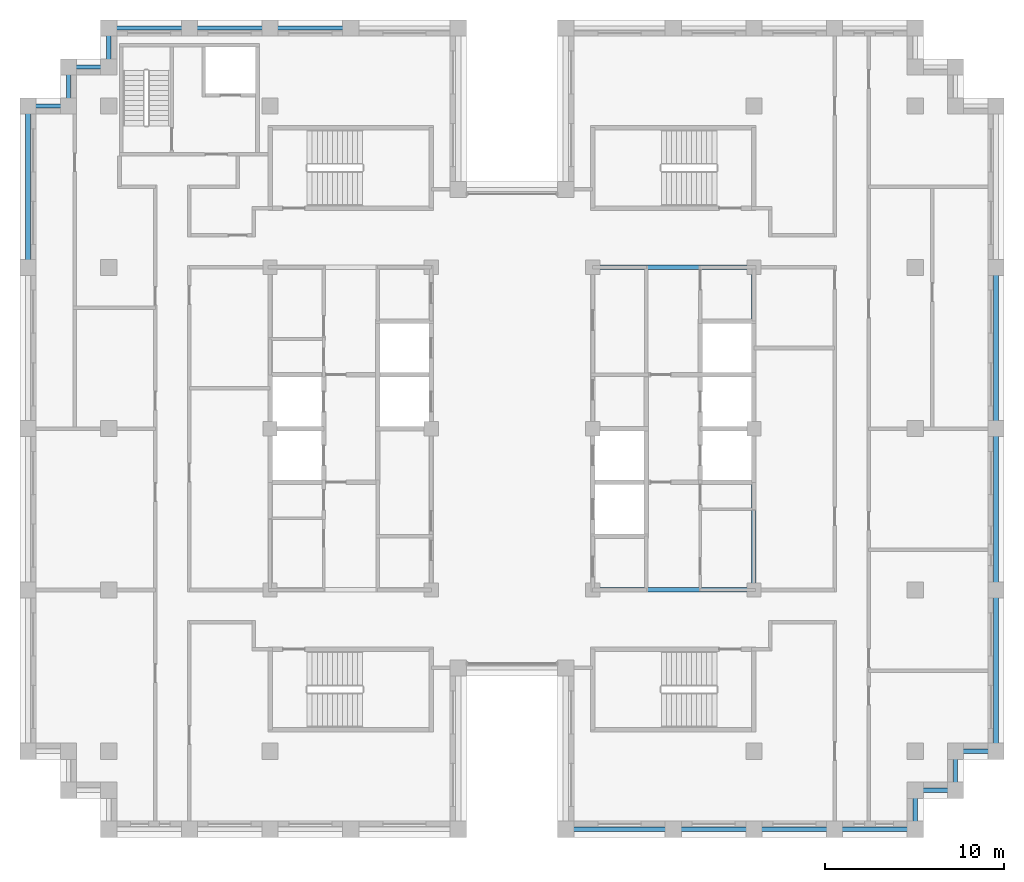
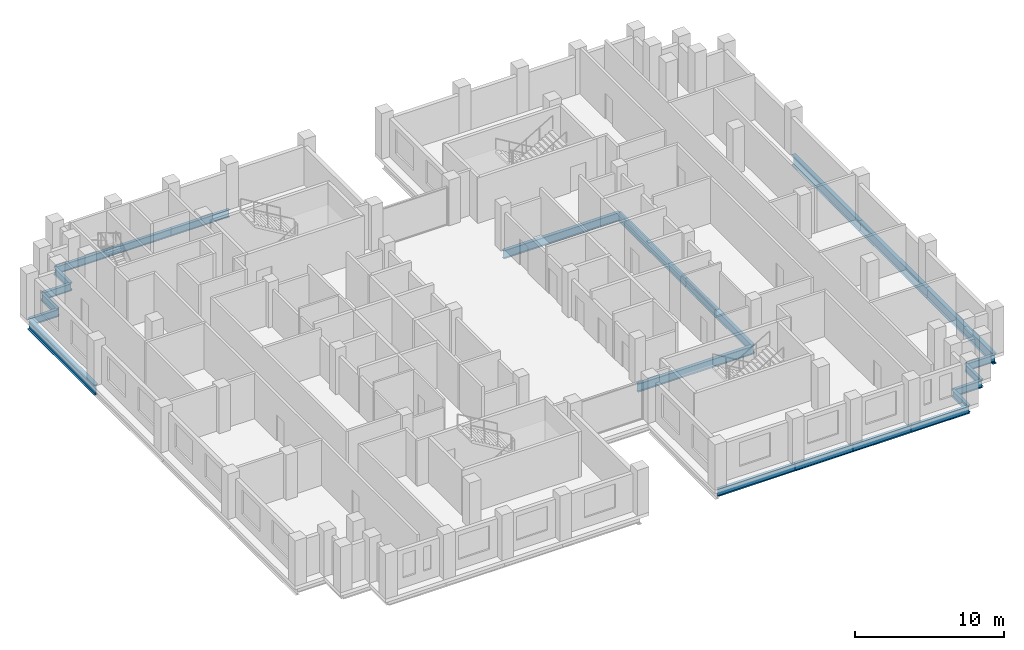
# One storey, part 3 of 13: 23 beams.
"""IFC4 building model written with IfcOpenShell, lengths in metres."""

from ifc_helpers import new_model, si_unit, direction, frame, origin, origin_2d, place, context, subcontext, project, spatial, i_section, extrude, material, material_profile, profile_set, type_object, element, save


model = new_model("IFC4")

# Units and contexts
model_context = context("Model", 3, precision=1e-05, world=origin(), true_north=direction((0.0, 1.0)))
body_context = subcontext(model_context, "Body", "Model", "MODEL_VIEW")
ifc_project = project(units=[si_unit("LENGTHUNIT", "METRE"), si_unit("AREAUNIT", "SQUARE_METRE"), si_unit("VOLUMEUNIT", "CUBIC_METRE"), si_unit("PLANEANGLEUNIT", "RADIAN"), si_unit("MASSUNIT", "GRAM", prefix="KILO")], contexts=[model_context])

# Site, building, storey
site_placement = place(None, origin())
site = spatial("IfcSite", under=ifc_project, at=site_placement, CompositionType="ELEMENT")
building_placement = place(site_placement, origin())
building = spatial("IfcBuilding", under=site, at=building_placement, Name="Corbelhall Arena Tower", CompositionType="ELEMENT")
storey_placement = place(building_placement, frame((0.0, 0.0, 250.0)))
storey = spatial("IfcBuildingStorey", under=building, at=storey_placement, Name="L53", CompositionType="ELEMENT", Elevation=250.0)

# Beams
ifc_material = material(Name="Steel ASTM A992 Gr50", Category="steel")
ifc_material_profile_1 = material_profile(ifc_material, i_section(OverallWidth=0.25390625, OverallDepth=0.67822265625, WebThickness=0.01171875, FlangeThickness=0.016357421875, at=origin_2d()))
ifc_profile_set_1 = profile_set([ifc_material_profile_1], Name="Steel ASTM A992 Gr50")
beam_type_1 = type_object("IfcBeamType", Name="ST-BEAM-W27x84", PredefinedType="BEAM", material=ifc_profile_set_1)
for number, where, z_axis, x_axis, name in (
    (1, (13.5, -9.0, -0.619140625), (0.0, 1.0, 0.0), (-1.0, 0.0, 0.0), "Beam CEE 9"),
    (2, (13.5, 0.0, -0.619140625), (0.0, 1.0, 0.0), (-1.0, 0.0, 0.0), "Beam CEE 10"),
    (3, (4.5, -9.0, -0.619140625), (1.0, 0.0, 0.0), (0.0, 1.0, 0.0), "Beam CEE 11"),
    (4, (4.5, 9.0, -0.619140625), (1.0, 0.0, 0.0), (0.0, 1.0, 0.0), "Beam CEE 12"),
):
    element("IfcBeam", number, at=place(storey_placement, frame(where, z_axis=z_axis, x_axis=x_axis)), inside=storey, type_object=beam_type_1, Name=name, PredefinedType="BEAM", context=body_context, shape_type="SweptSolid", body=[
        extrude(i_section(OverallWidth=0.25390625, OverallDepth=0.67822265625, WebThickness=0.01171875, FlangeThickness=0.016357421875, at=origin_2d()), origin(), (0.0, 0.0, 1.0), 9.0),
    ])
ifc_material_profile_2 = material_profile(ifc_material, i_section(OverallWidth=0.227783203125, OverallDepth=0.60205078125, WebThickness=0.010498046875, FlangeThickness=0.014892578125, at=origin_2d()))
ifc_profile_set_2 = profile_set([ifc_material_profile_2], Name="Steel ASTM A992 Gr50")
beam_type_2 = type_object("IfcBeamType", Name="ST-SPANDREL-W24x68", PredefinedType="SPANDREL", material=ifc_profile_set_2)
beam_1_placement = place(storey_placement, frame((27.0, -18.0, -0.5810546875), z_axis=(-1.0, 0.0, 0.0), x_axis=(0.0, -1.0, 0.0)))
element("IfcBeam", 5, at=beam_1_placement, inside=storey, type_object=beam_type_2, Name="Beam SP 5", PredefinedType="SPANDREL", context=body_context, shape_type="SweptSolid", body=[
    extrude(i_section(OverallWidth=0.227783203125, OverallDepth=0.60205078125, WebThickness=0.010498046875, FlangeThickness=0.014892578125, at=origin_2d()), origin(), (0.0, 0.0, 1.0), 2.25),
])
for number, where, z_axis, x_axis, name in (
    (6, (-13.5, 22.35009765625, -0.5810546875), (1.0, 0.0, 0.0), (0.0, 1.0, 0.0), "Beam SP 13"),
    (7, (-18.0, 22.35009765625, -0.5810546875), (1.0, 0.0, 0.0), (0.0, 1.0, 0.0), "Beam SP 14"),
    (8, (-22.5, 22.35009765625, -0.5810546875), (1.0, 0.0, 0.0), (0.0, 1.0, 0.0), "Beam SP 15"),
):
    element("IfcBeam", number, at=place(storey_placement, frame(where, z_axis=z_axis, x_axis=x_axis)), inside=storey, type_object=beam_type_2, Name=name, PredefinedType="SPANDREL", context=body_context, shape_type="SweptSolid", body=[
        extrude(i_section(OverallWidth=0.227783203125, OverallDepth=0.60205078125, WebThickness=0.010498046875, FlangeThickness=0.014892578125, at=origin_2d()), origin(), (0.0, 0.0, 1.0), 4.5),
    ])
beam_2_placement = place(storey_placement, frame((9.0, -22.35009765625, -0.5810546875), z_axis=(-1.0, 0.0, 0.0), x_axis=(0.0, -1.0, 0.0)))
element("IfcBeam", 9, at=beam_2_placement, inside=storey, type_object=beam_type_2, Name="Beam SP 17", PredefinedType="SPANDREL", context=body_context, shape_type="SweptSolid", body=[
    extrude(i_section(OverallWidth=0.227783203125, OverallDepth=0.60205078125, WebThickness=0.010498046875, FlangeThickness=0.014892578125, at=origin_2d()), origin(), (0.0, 0.0, 1.0), 6.0),
])
for number, where, z_axis, x_axis, name in (
    (10, (13.5, -22.35009765625, -0.5810546875), (-1.0, 0.0, 0.0), (0.0, -1.0, 0.0), "Beam SP 18"),
    (11, (18.0, -22.35009765625, -0.5810546875), (-1.0, 0.0, 0.0), (0.0, -1.0, 0.0), "Beam SP 19"),
    (12, (22.5, -22.35009765625, -0.5810546875), (-1.0, 0.0, 0.0), (0.0, -1.0, 0.0), "Beam SP 20"),
):
    element("IfcBeam", number, at=place(storey_placement, frame(where, z_axis=z_axis, x_axis=x_axis)), inside=storey, type_object=beam_type_2, Name=name, PredefinedType="SPANDREL", context=body_context, shape_type="SweptSolid", body=[
        extrude(i_section(OverallWidth=0.227783203125, OverallDepth=0.60205078125, WebThickness=0.010498046875, FlangeThickness=0.014892578125, at=origin_2d()), origin(), (0.0, 0.0, 1.0), 4.5),
    ])
beam_3_placement = place(storey_placement, frame((-27.0, 18.0, -0.5810546875), z_axis=(1.0, 0.0, 0.0), x_axis=(0.0, 1.0, 0.0)))
element("IfcBeam", 13, at=beam_3_placement, inside=storey, type_object=beam_type_2, Name="Beam SP 28", PredefinedType="SPANDREL", context=body_context, shape_type="SweptSolid", body=[
    extrude(i_section(OverallWidth=0.227783203125, OverallDepth=0.60205078125, WebThickness=0.010498046875, FlangeThickness=0.014892578125, at=origin_2d()), origin(), (0.0, 0.0, 1.0), 2.25),
])
beam_4_placement = place(storey_placement, frame((-22.5, 20.175048828125, -0.5810546875), z_axis=(0.0, 1.0, 0.0), x_axis=(-1.0, 0.0, 0.0)))
element("IfcBeam", 14, at=beam_4_placement, inside=storey, type_object=beam_type_2, Name="Beam SP 38", PredefinedType="SPANDREL", context=body_context, shape_type="SweptSolid", body=[
    extrude(i_section(OverallWidth=0.227783203125, OverallDepth=0.60205078125, WebThickness=0.010498046875, FlangeThickness=0.014892578125, at=origin_2d()), origin(), (0.0, 0.0, 1.0), 2.175048828125),
])
beam_5_placement = place(storey_placement, frame((-24.75, 20.175048828125, -0.5810546875), z_axis=(1.0, 0.0, 0.0), x_axis=(0.0, 1.0, 0.0)))
element("IfcBeam", 15, at=beam_5_placement, inside=storey, type_object=beam_type_2, Name="Beam SP 39", PredefinedType="SPANDREL", context=body_context, shape_type="SweptSolid", body=[
    extrude(i_section(OverallWidth=0.227783203125, OverallDepth=0.60205078125, WebThickness=0.010498046875, FlangeThickness=0.014892578125, at=origin_2d()), origin(), (0.0, 0.0, 1.0), 2.25),
])
for number, where, z_axis, x_axis, name in (
    (16, (-24.75, 18.0, -0.5810546875), (0.0, 1.0, 0.0), (-1.0, 0.0, 0.0), "Beam SP 40"),
    (17, (22.5, -20.175048828125, -0.5810546875), (0.0, -1.0, 0.0), (1.0, 0.0, 0.0), "Beam SP 41"),
):
    element("IfcBeam", number, at=place(storey_placement, frame(where, z_axis=z_axis, x_axis=x_axis)), inside=storey, type_object=beam_type_2, Name=name, PredefinedType="SPANDREL", context=body_context, shape_type="SweptSolid", body=[
        extrude(i_section(OverallWidth=0.227783203125, OverallDepth=0.60205078125, WebThickness=0.010498046875, FlangeThickness=0.014892578125, at=origin_2d()), origin(), (0.0, 0.0, 1.0), 2.175048828125),
    ])
beam_6_placement = place(storey_placement, frame((24.75, -20.175048828125, -0.5810546875), z_axis=(-1.0, 0.0, 0.0), x_axis=(0.0, -1.0, 0.0)))
element("IfcBeam", 18, at=beam_6_placement, inside=storey, type_object=beam_type_2, Name="Beam SP 42", PredefinedType="SPANDREL", context=body_context, shape_type="SweptSolid", body=[
    extrude(i_section(OverallWidth=0.227783203125, OverallDepth=0.60205078125, WebThickness=0.010498046875, FlangeThickness=0.014892578125, at=origin_2d()), origin(), (0.0, 0.0, 1.0), 2.25),
])
beam_7_placement = place(storey_placement, frame((24.75, -18.0, -0.5810546875), z_axis=(0.0, -1.0, 0.0), x_axis=(1.0, 0.0, 0.0)))
element("IfcBeam", 19, at=beam_7_placement, inside=storey, type_object=beam_type_2, Name="Beam SP 43", PredefinedType="SPANDREL", context=body_context, shape_type="SweptSolid", body=[
    extrude(i_section(OverallWidth=0.227783203125, OverallDepth=0.60205078125, WebThickness=0.010498046875, FlangeThickness=0.014892578125, at=origin_2d()), origin(), (0.0, 0.0, 1.0), 2.175048828125),
])
ifc_material_profile_3 = material_profile(ifc_material, i_section(OverallWidth=0.2919921875, OverallDepth=0.845703125, WebThickness=0.015380859375, FlangeThickness=0.0244140625, at=origin_2d()))
ifc_profile_set_3 = profile_set([ifc_material_profile_3], Name="Steel ASTM A992 Gr50")
beam_type_3 = type_object("IfcBeamType", Name="ST-SPANDREL-W33x141", PredefinedType="SPANDREL", material=ifc_profile_set_3)
for number, where, z_axis, x_axis, name in (
    (20, (27.0, 0.0, -0.702880859375), (0.0, -1.0, 0.0), (1.0, 0.0, 0.0), "Beam SP 1"),
    (21, (27.0, 9.0, -0.702880859375), (0.0, -1.0, 0.0), (1.0, 0.0, 0.0), "Beam SP 2"),
    (22, (27.0, -9.0, -0.702880859375), (0.0, -1.0, 0.0), (1.0, 0.0, 0.0), "Beam SP 4"),
    (23, (-27.0, 9.0, -0.702880859375), (0.0, 1.0, 0.0), (-1.0, 0.0, 0.0), "Beam SP 27"),
):
    element("IfcBeam", number, at=place(storey_placement, frame(where, z_axis=z_axis, x_axis=x_axis)), inside=storey, type_object=beam_type_3, Name=name, PredefinedType="SPANDREL", context=body_context, shape_type="SweptSolid", body=[
        extrude(i_section(OverallWidth=0.2919921875, OverallDepth=0.845703125, WebThickness=0.015380859375, FlangeThickness=0.0244140625, at=origin_2d()), origin(), (0.0, 0.0, 1.0), 9.0),
    ])

save(model, "model.ifc")
